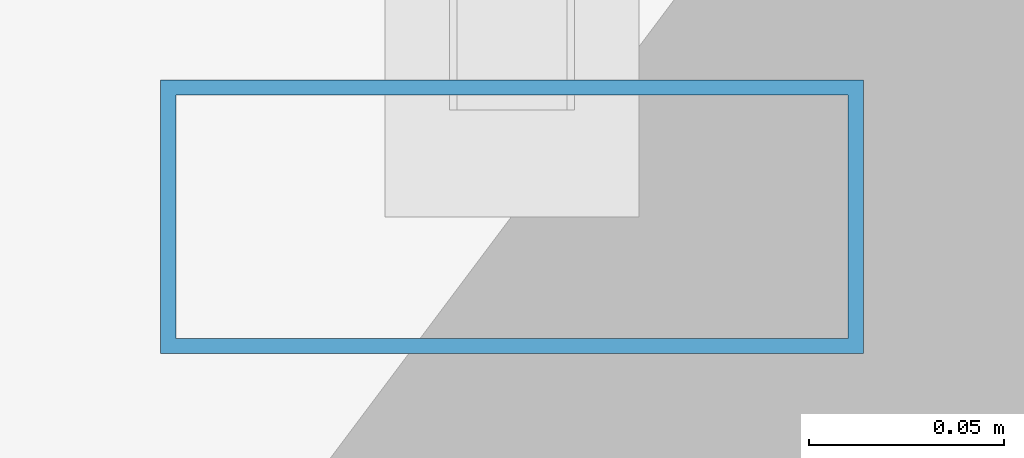
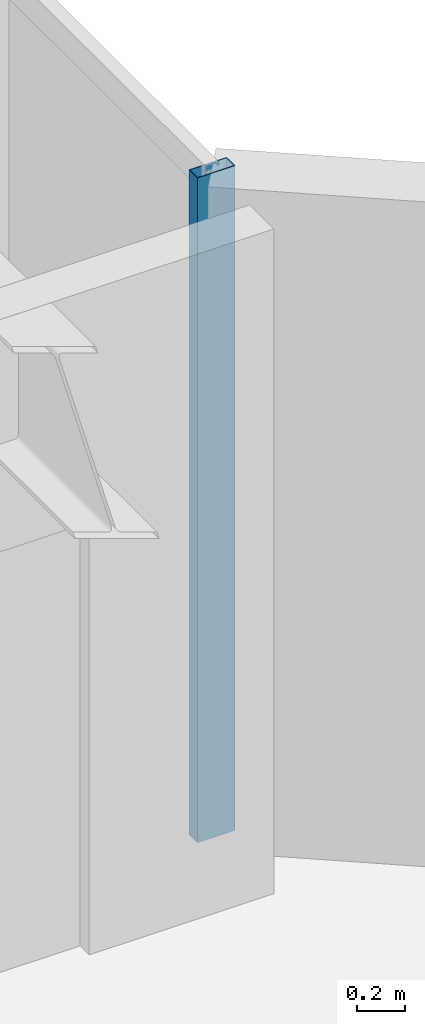
# One storey, part 15 of 26: 1 member, 1 element without a shape of its own.
"""IFC4 building model written with IfcOpenShell, lengths in metres."""

from ifc_helpers import new_model, si_unit, direction, frame, origin, origin_2d, place, context, subcontext, project, spatial, hollow_rectangle, extrude, material, layer, layer_set, material_profile, profile_set, type_object, element, aggregate, save


model = new_model("IFC4")

# Units and contexts
model_context = context("Model", 3, precision=1e-05, world=origin(), true_north=direction((0.0, 1.0)))
body_context = subcontext(model_context, "Body", "Model", "MODEL_VIEW")
ifc_project = project(units=[si_unit("LENGTHUNIT", "METRE"), si_unit("AREAUNIT", "SQUARE_METRE"), si_unit("VOLUMEUNIT", "CUBIC_METRE"), si_unit("PLANEANGLEUNIT", "RADIAN"), si_unit("MASSUNIT", "GRAM", prefix="KILO")], contexts=[model_context])

# Site, building, storey
site_placement = place(None, origin())
site = spatial("IfcSite", under=ifc_project, at=site_placement, CompositionType="ELEMENT")
building_placement = place(site_placement, origin())
building = spatial("IfcBuilding", under=site, at=building_placement, Name="Hatsunagi Terrace Concourse", CompositionType="ELEMENT")
storey_placement = place(building_placement, frame((0.0, 0.0, 152.85009765625)))
storey = spatial("IfcBuildingStorey", under=building, at=storey_placement, Name="L40", CompositionType="ELEMENT", Elevation=152.85009765625)

# Curtain wall, member
ifc_material_1 = material(Name="Anodised Aluminium Alloy 6063-T5", Category="aluminium")
ifc_layer = layer(ifc_material_1, 0.199951171875)
ifc_layer_set = layer_set([ifc_layer], Name="OfficeZone1_CW03")
curtain_wall_type = type_object("IfcCurtainWallType", Name="OfficeZone1_CW03", PredefinedType="NOTDEFINED", material=ifc_layer_set)
curtain_wall_placement = place(storey_placement, origin())
curtain_wall = element("IfcCurtainWall", 1, at=curtain_wall_placement, inside=storey, type_object=curtain_wall_type, Name="Unitised Curtain Wall CW-03 CW-L40-13", PredefinedType="NOTDEFINED")
ifc_material_2 = material(Name="Anodised Aluminium Alloy 6063-T5", Category="aluminium")
ifc_material_profile = material_profile(ifc_material_2, hollow_rectangle(XDim=0.070068359375, YDim=0.179931640625, WallThickness=0.00390625, at=origin_2d()), Name="ALU-MUL-180x70x4")
ifc_profile_set = profile_set([ifc_material_profile], Name="Anodised Aluminium Alloy 6063-T5")
member_type = type_object("IfcMemberType", Name="CurtainWallMullion_180x70", PredefinedType="MULLION", material=ifc_profile_set)
member_placement = place(storey_placement, frame((44.860107421875, 40.72998046875, 0.0), z_axis=(0.0, 0.0, 1.0), x_axis=(0.0, -1.0, 0.0)))
member = element("IfcMember", 2, at=member_placement, type_object=member_type, Name="Curtain Wall Mullion MUL-02", PredefinedType="MULLION", context=body_context, shape_type="SweptSolid", body=[
    extrude(hollow_rectangle(XDim=0.070068359375, YDim=0.179931640625, WallThickness=0.00390625, at=origin_2d()), origin(), (0.0, 0.0, 1.0), 3.349853515625),
])
aggregate(curtain_wall, [member])

save(model, "model.ifc")
